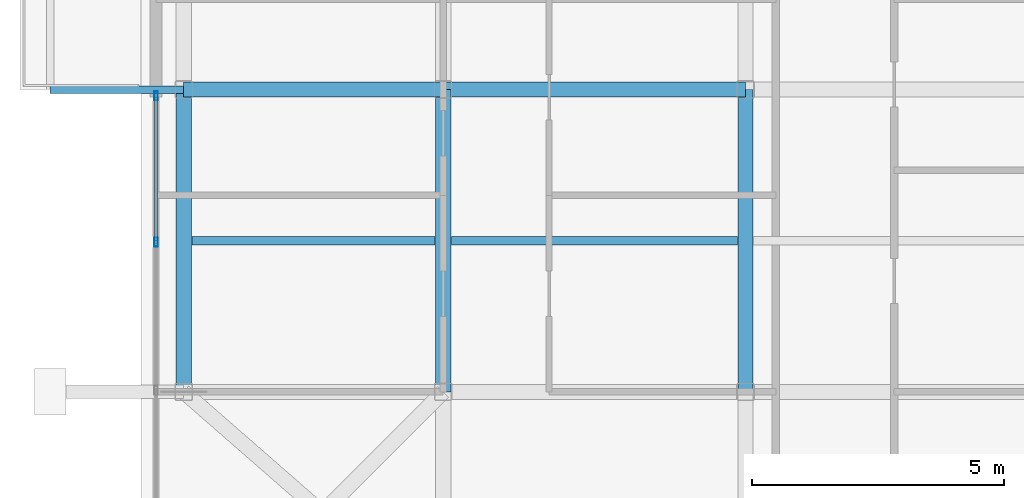
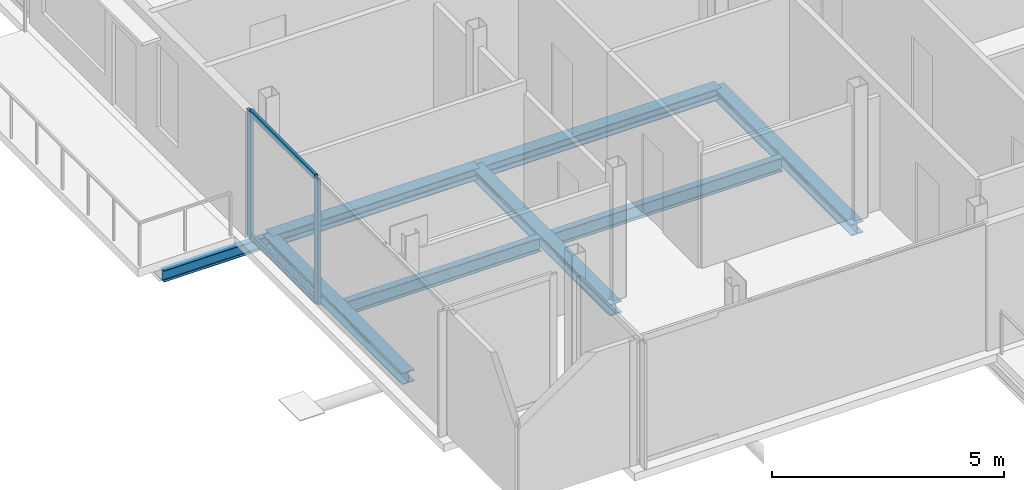
# One storey, part 3 of 18: 8 beams, 4 members, 1 element without a shape of its own.
"""IFC4 building model written with IfcOpenShell, lengths in metres."""

from ifc_helpers import new_model, si_unit, direction, frame, origin, origin_2d, place, context, subcontext, project, spatial, hollow_rectangle, i_section, extrude, material, layer, layer_set, material_profile, profile_set, type_object, element, aggregate, save


model = new_model("IFC4")

# Units and contexts
model_context = context("Model", 3, precision=1e-05, world=origin(), true_north=direction((0.0, 1.0)))
body_context = subcontext(model_context, "Body", "Model", "MODEL_VIEW")
ifc_project = project(units=[si_unit("LENGTHUNIT", "METRE"), si_unit("AREAUNIT", "SQUARE_METRE"), si_unit("VOLUMEUNIT", "CUBIC_METRE"), si_unit("PLANEANGLEUNIT", "RADIAN"), si_unit("MASSUNIT", "GRAM", prefix="KILO"), si_unit("THERMODYNAMICTEMPERATUREUNIT", "KELVIN"), si_unit("POWERUNIT", "WATT")], contexts=[model_context])

# Site, building, storey
site_placement = place(None, origin())
site = spatial("IfcSite", under=ifc_project, at=site_placement, CompositionType="ELEMENT")
building_placement = place(site_placement, origin())
building = spatial("IfcBuilding", under=site, at=building_placement, Name="Svarakhadi Broadcast Tower", CompositionType="ELEMENT")
storey_placement = place(building_placement, frame((0.0, 0.0, 264.199951171875)))
storey = spatial("IfcBuildingStorey", under=building, at=storey_placement, Name="L66", CompositionType="ELEMENT", Elevation=264.199951171875)

# Beams
ifc_material_1 = material(Name="Steel S355J2 (IS 2062 E350C)", Category="steel")
ifc_material_profile_1 = material_profile(ifc_material_1, i_section(OverallWidth=0.169921875, OverallDepth=0.360107421875, WebThickness=0.008056640625, FlangeThickness=0.0126953125, FilletRadius=0.01806640625, at=origin_2d()), Name="NPB 360x170x57")
ifc_profile_set_1 = profile_set([ifc_material_profile_1], Name="Steel S355J2 (IS 2062 E350C)")
beam_type_1 = type_object("IfcBeamType", Name="Beam_NPB360", PredefinedType="BEAM", material=ifc_profile_set_1)
beam_1_placement = place(storey_placement, frame((1.010009765625, 9.0, -0.3798828125), z_axis=(1.0, 0.0, 0.0), x_axis=(0.0, 1.0, 0.0)))
element("IfcBeam", 1, at=beam_1_placement, inside=storey, type_object=beam_type_1, Name="L66 Secondary Composite Beam SB001", PredefinedType="BEAM", context=body_context, shape_type="SweptSolid", body=[
    extrude(i_section(OverallWidth=0.169921875, OverallDepth=0.360107421875, WebThickness=0.008056640625, FlangeThickness=0.0126953125, FilletRadius=0.01806640625, at=origin_2d()), origin(), (0.0, 0.0, 1.0), 4.830078125),
])
beam_2_placement = place(storey_placement, frame((6.159912109375, 9.0, -0.3798828125), z_axis=(1.0, 0.0, 0.0), x_axis=(0.0, 1.0, 0.0)))
element("IfcBeam", 2, at=beam_2_placement, inside=storey, type_object=beam_type_1, Name="L66 Secondary Composite Beam SB005", PredefinedType="BEAM", context=body_context, shape_type="SweptSolid", body=[
    extrude(i_section(OverallWidth=0.169921875, OverallDepth=0.360107421875, WebThickness=0.008056640625, FlangeThickness=0.0126953125, FilletRadius=0.01806640625, at=origin_2d()), origin(), (0.0, 0.0, 1.0), 5.68017578125),
])

# Curtain wall, members
ifc_material_2 = material(Name="Anodised Bronze Aluminium AA 6063-T6", Category="aluminium")
ifc_layer = layer(ifc_material_2, 0.179931640625)
ifc_layer_set = layer_set([ifc_layer], Name="Anodised Bronze Aluminium AA 6063-T6")
curtain_wall_type = type_object("IfcCurtainWallType", Name="CW_Sys_05", PredefinedType="NOTDEFINED", material=ifc_layer_set)
curtain_wall_placement = place(storey_placement, origin())
curtain_wall = element("IfcCurtainWall", 3, at=curtain_wall_placement, inside=storey, type_object=curtain_wall_type, Name="L66 West Curtain Wall 02", PredefinedType="NOTDEFINED")
ifc_material_profile_2 = material_profile(ifc_material_2, hollow_rectangle(XDim=0.070068359375, YDim=0.179931640625, WallThickness=0.005615234375, at=origin_2d()), Name="ALU MULLION 180x70x6")
ifc_profile_set_2 = profile_set([ifc_material_profile_2], Name="Anodised Bronze Aluminium AA 6063-T6")
member_type_1 = type_object("IfcMemberType", Name="CW_Sys_05_Mul", PredefinedType="MULLION", material=ifc_profile_set_2)
member_1_placement = place(storey_placement, frame((0.300048828125, 8.969970703125, 0.0), z_axis=(0.0, 0.0, 1.0), x_axis=(-1.0, 0.0, 0.0)))
member_1 = element("IfcMember", 4, at=member_1_placement, type_object=member_type_1, Name="CW-05 mullion 3", PredefinedType="MULLION", context=body_context, shape_type="SweptSolid", body=[
    extrude(hollow_rectangle(XDim=0.070068359375, YDim=0.179931640625, WallThickness=0.005615234375, at=origin_2d()), origin(), (0.0, 0.0, 1.0), 3.300048828125),
])
member_2_placement = place(storey_placement, frame((0.300048828125, 11.875, 0.0), z_axis=(0.0, 0.0, 1.0), x_axis=(-1.0, 0.0, 0.0)))
member_2 = element("IfcMember", 5, at=member_2_placement, type_object=member_type_1, Name="CW-05 mullion 4", PredefinedType="MULLION", context=body_context, shape_type="SweptSolid", body=[
    extrude(hollow_rectangle(XDim=0.070068359375, YDim=0.179931640625, WallThickness=0.005615234375, at=origin_2d()), origin(), (0.0, 0.0, 1.0), 3.300048828125),
])
ifc_material_profile_3 = material_profile(ifc_material_2, hollow_rectangle(XDim=0.06494140625, YDim=0.1650390625, WallThickness=0.0048828125, at=origin_2d()), Name="ALU TRANSOM 165x65x5")
ifc_profile_set_3 = profile_set([ifc_material_profile_3], Name="Anodised Bronze Aluminium AA 6063-T6")
member_type_2 = type_object("IfcMemberType", Name="CW_Sys_05_Trn", PredefinedType="USERDEFINED", material=ifc_profile_set_3)
member_3_placement = place(storey_placement, frame((0.300048828125, 9.0048828125, 0.032470703125), z_axis=(0.0, 1.0, 0.0), x_axis=(-1.0, 0.0, 0.0)))
member_3 = element("IfcMember", 6, at=member_3_placement, type_object=member_type_2, Name="CW-05 transom 3.1", ObjectType="TRANSOM", PredefinedType="USERDEFINED", context=body_context, shape_type="SweptSolid", body=[
    extrude(hollow_rectangle(XDim=0.06494140625, YDim=0.1650390625, WallThickness=0.0048828125, at=origin_2d()), origin(), (0.0, 0.0, 1.0), 2.835205078125),
])
member_4_placement = place(storey_placement, frame((0.300048828125, 9.0048828125, 3.267578125), z_axis=(0.0, 1.0, 0.0), x_axis=(-1.0, 0.0, 0.0)))
member_4 = element("IfcMember", 7, at=member_4_placement, type_object=member_type_2, Name="CW-05 transom 3.2", ObjectType="TRANSOM", PredefinedType="USERDEFINED", context=body_context, shape_type="SweptSolid", body=[
    extrude(hollow_rectangle(XDim=0.06494140625, YDim=0.1650390625, WallThickness=0.0048828125, at=origin_2d()), origin(), (0.0, 0.0, 1.0), 2.835205078125),
])
aggregate(curtain_wall, [member_1, member_2, member_3, member_4])

# Beams
ifc_material_profile_4 = material_profile(ifc_material_1, i_section(OverallWidth=0.300048828125, OverallDepth=0.300048828125, WebThickness=0.010986328125, FlangeThickness=0.01904296875, FilletRadius=0.027099609375, at=origin_2d()), Name="WPB 300x300x117")
ifc_profile_set_4 = profile_set([ifc_material_profile_4], Name="Steel S355J2 (IS 2062 E350C)")
beam_type_2 = type_object("IfcBeamType", Name="Girder_WPB300", PredefinedType="USERDEFINED", material=ifc_profile_set_4)
beam_3_placement = place(storey_placement, frame((0.85009765625, 12.0, -0.349853515625), z_axis=(1.0, 0.0, 0.0), x_axis=(0.0, 1.0, 0.0)))
element("IfcBeam", 8, at=beam_3_placement, inside=storey, type_object=beam_type_2, Name="L66 Primary E-W Girder G013", ObjectType="GIRDER", PredefinedType="USERDEFINED", context=body_context, shape_type="SweptSolid", body=[
    extrude(i_section(OverallWidth=0.300048828125, OverallDepth=0.300048828125, WebThickness=0.010986328125, FlangeThickness=0.01904296875, FilletRadius=0.027099609375, at=origin_2d()), origin(), (0.0, 0.0, 1.0), 5.14990234375),
])
for number, where, z_axis, x_axis, name in (
    (9, (6.0, 12.0, -0.349853515625), (1.0, 0.0, 0.0), (0.0, 1.0, 0.0), "L66 Primary E-W Girder G014"),
    (10, (0.85009765625, 6.0, -0.349853515625), (0.0, 1.0, 0.0), (-1.0, 0.0, 0.0), "L66 Primary N-S Girder G026"),
    (11, (6.0, 6.0, -0.349853515625), (0.0, 1.0, 0.0), (-1.0, 0.0, 0.0), "L66 Primary N-S Girder G030"),
    (12, (12.0, 6.0, -0.349853515625), (0.0, 1.0, 0.0), (-1.0, 0.0, 0.0), "L66 Primary N-S Girder G034"),
):
    element("IfcBeam", number, at=place(storey_placement, frame(where, z_axis=z_axis, x_axis=x_axis)), inside=storey, type_object=beam_type_2, Name=name, ObjectType="GIRDER", PredefinedType="USERDEFINED", context=body_context, shape_type="SweptSolid", body=[
        extrude(i_section(OverallWidth=0.300048828125, OverallDepth=0.300048828125, WebThickness=0.010986328125, FlangeThickness=0.01904296875, FilletRadius=0.027099609375, at=origin_2d()), origin(), (0.0, 0.0, 1.0), 6.0),
    ])
ifc_material_profile_5 = material_profile(ifc_material_1, i_section(OverallWidth=0.14990234375, OverallDepth=0.300048828125, WebThickness=0.007080078125, FlangeThickness=0.0107421875, FilletRadius=0.014892578125, at=origin_2d()), Name="NPB 300x150x37")
ifc_profile_set_5 = profile_set([ifc_material_profile_5], Name="Steel S355J2 (IS 2062 E350C)")
beam_type_3 = type_object("IfcBeamType", Name="Spandrel_NPB300", PredefinedType="SPANDREL", material=ifc_profile_set_5)
beam_4_placement = place(storey_placement, frame((0.85009765625, 12.0, -0.375), z_axis=(-1.0, 0.0, 0.0), x_axis=(0.0, -1.0, 0.0)))
element("IfcBeam", 13, at=beam_4_placement, inside=storey, type_object=beam_type_3, Name="L66 Balcony Cantilever Bracket 2A", PredefinedType="SPANDREL", context=body_context, shape_type="SweptSolid", body=[
    extrude(i_section(OverallWidth=0.14990234375, OverallDepth=0.300048828125, WebThickness=0.007080078125, FlangeThickness=0.0107421875, FilletRadius=0.014892578125, at=origin_2d()), origin(), (0.0, 0.0, 1.0), 2.650146484375),
])

save(model, "model.ifc")
